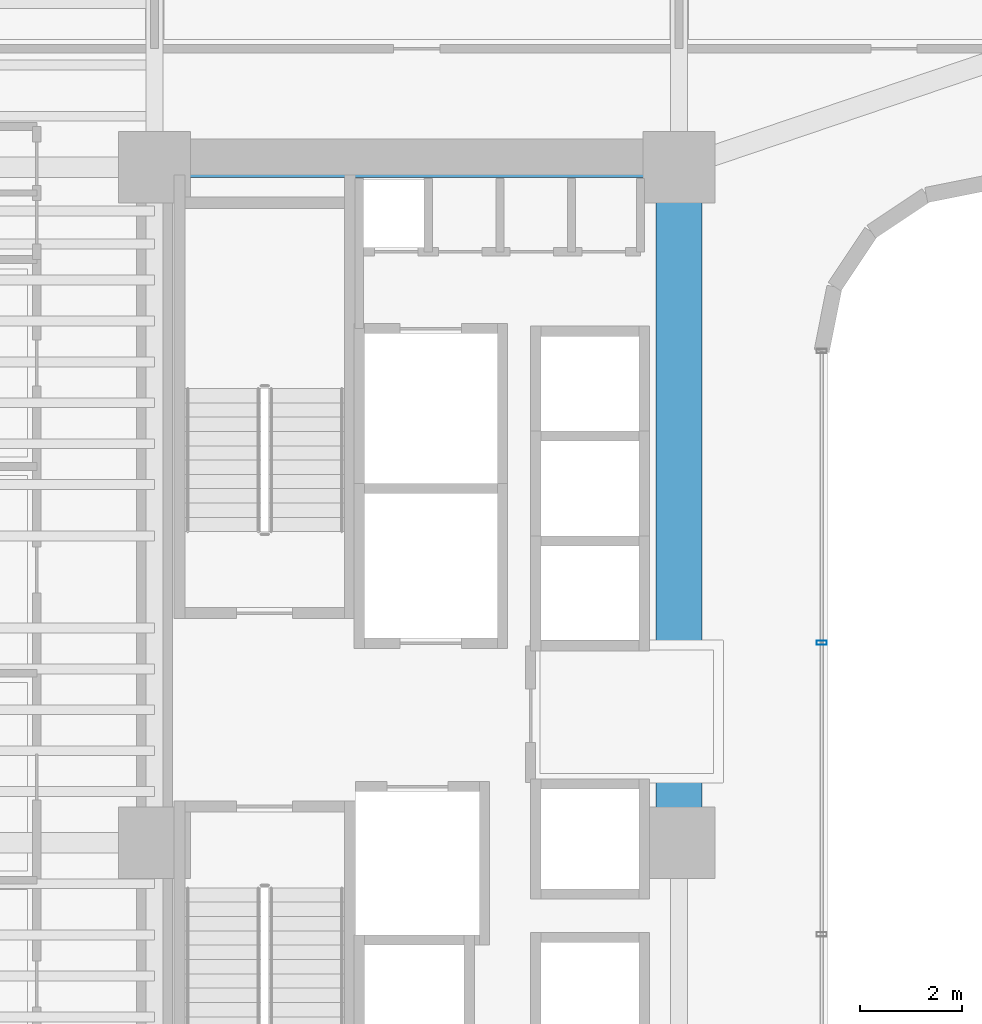
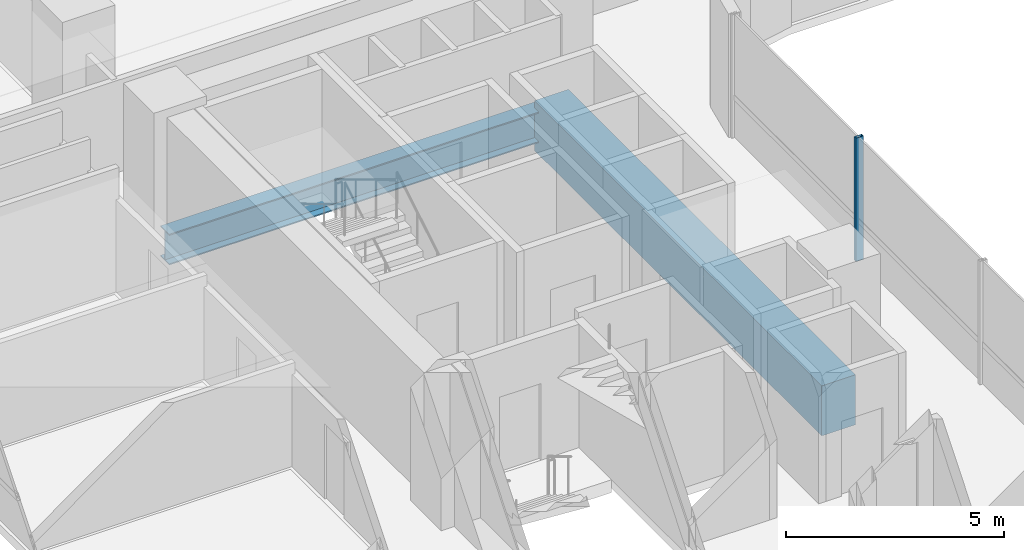
# One storey, part 11 of 39: 2 beams, 1 member, 1 element without a shape of its own.
"""IFC4 building model written with IfcOpenShell, lengths in metres."""

from ifc_helpers import new_model, si_unit, direction, frame, origin, origin_2d, place, context, subcontext, project, spatial, rectangle, hollow_rectangle, i_section, extrude, source, transform, mapped, material, material_profile, profile_set, type_object, element, aggregate, save


model = new_model("IFC4")

# Units and contexts
model_context = context("Model", 3, precision=1e-05, world=origin(), true_north=direction((0.0, 1.0)))
body_context = subcontext(model_context, "Body", "Model", "MODEL_VIEW")
ifc_project = project(units=[si_unit("LENGTHUNIT", "METRE"), si_unit("AREAUNIT", "SQUARE_METRE"), si_unit("VOLUMEUNIT", "CUBIC_METRE"), si_unit("PLANEANGLEUNIT", "RADIAN"), si_unit("MASSUNIT", "GRAM", prefix="KILO")], contexts=[model_context])

# Site, building, storey
site_placement = place(None, origin())
site = spatial("IfcSite", under=ifc_project, at=site_placement, CompositionType="ELEMENT")
building_placement = place(site_placement, origin())
building = spatial("IfcBuilding", under=site, at=building_placement, Name="Valdorenza Pilgrim Sanctuary Tower", CompositionType="ELEMENT")
storey_placement = place(building_placement, frame((0.0, 0.0, 33.39990234375)))
storey = spatial("IfcBuildingStorey", under=building, at=storey_placement, Name="L07", CompositionType="ELEMENT", Elevation=33.39990234375)

# Beams
ifc_material_1 = material(Name="Concrete C60/75", Category="concrete")
ifc_material_profile_1 = material_profile(ifc_material_1, rectangle(XDim=0.89990234375, YDim=1.39990234375, at=origin_2d()), Name="RC 1400x900")
ifc_profile_set_1 = profile_set([ifc_material_profile_1], Name="Concrete C60/75")
beam_type_1 = type_object("IfcBeamType", Name="STR-BM-LNT-1400", PredefinedType="LINTEL", material=ifc_profile_set_1)
shared_shape_1 = source(origin(), body_context, "Body", "SweptSolid", [
    extrude(rectangle(XDim=0.89990234375, YDim=1.39990234375, at=origin_2d()), origin(), (0.0, 0.0, 1.0), 13.2001953125),
])
beam_1_placement = place(storey_placement, frame((-12.39990234375, -2.60009765625, -0.739990234375), z_axis=(0.0, 1.0, 0.0), x_axis=(-1.0, 0.0, 0.0)))
element("IfcBeam", 1, at=beam_1_placement, inside=storey, type_object=beam_type_1, Name="L07 Core A Coupling Lintel Girder", PredefinedType="LINTEL", context=body_context, shape_type="MappedRepresentation", body=[
    mapped(shared_shape_1, transform((0.0, 0.0, 0.0), x_axis=(1.0, 0.0, 0.0), y_axis=(0.0, 1.0, 0.0), z_axis=(0.0, 0.0, 1.0), scale=1.0)),
])
ifc_material_2 = material(Name="Steel ASTM A992 Grade 50", Category="steel")
ifc_material_profile_2 = material_profile(ifc_material_2, i_section(OverallWidth=0.39990234375, OverallDepth=0.862060546875, WebThickness=0.019775390625, FlangeThickness=0.032470703125, at=origin_2d()), Name="W33X221")
ifc_profile_set_2 = profile_set([ifc_material_profile_2], Name="Steel ASTM A992 Grade 50")
beam_type_2 = type_object("IfcBeamType", Name="STR-BM-GRD-W33", PredefinedType="BEAM", material=ifc_profile_set_2)
shared_shape_2 = source(origin(), body_context, "Body", "SweptSolid", [
    extrude(i_section(OverallWidth=0.39990234375, OverallDepth=0.862060546875, WebThickness=0.019775390625, FlangeThickness=0.032470703125, at=origin_2d()), origin(), (0.0, 0.0, 1.0), 10.25),
])
beam_2_placement = place(storey_placement, frame((-22.64990234375, 10.60009765625, -0.6708984375), z_axis=(1.0, 0.0, 0.0), x_axis=(0.0, 1.0, 0.0)))
element("IfcBeam", 2, at=beam_2_placement, inside=storey, type_object=beam_type_2, Name="L07 Floor Girder CA-XC-N1", PredefinedType="BEAM", context=body_context, shape_type="MappedRepresentation", body=[
    mapped(shared_shape_2, transform((0.0, 0.0, 0.0), x_axis=(1.0, 0.0, 0.0), y_axis=(0.0, 1.0, 0.0), z_axis=(0.0, 0.0, 1.0), scale=1.0)),
])

# Curtain wall, member
ifc_material_3 = material(Name="Curtain-wall IGU glazing", Category="glass")
curtain_wall_type = type_object("IfcCurtainWallType", Name="CW-SYS-02", PredefinedType="NOTDEFINED", material=ifc_material_3)
curtain_wall_placement = place(storey_placement, origin())
curtain_wall = element("IfcCurtainWall", 3, at=curtain_wall_placement, inside=storey, type_object=curtain_wall_type, Name="L07 Curtain Wall CW-L07-1-41", PredefinedType="NOTDEFINED")
ifc_material_4 = material(Name="Anodised aluminium AW-6060", Category="aluminium")
ifc_material_profile_3 = material_profile(ifc_material_4, hollow_rectangle(XDim=0.0849609375, YDim=0.199951171875, WallThickness=0.0048828125, at=origin_2d()), Name="ALU-M 200x85x5")
ifc_profile_set_3 = profile_set([ifc_material_profile_3], Name="Anodised aluminium AW-6060")
member_type = type_object("IfcMemberType", Name="CW-MUL-02", PredefinedType="MULLION", material=ifc_profile_set_3)
shared_shape_3 = source(origin(), body_context, "Body", "SweptSolid", [
    extrude(hollow_rectangle(XDim=0.0849609375, YDim=0.199951171875, WallThickness=0.0048828125, at=origin_2d()), origin(), (0.0, 0.0, 1.0), 3.460205078125),
])
member_placement = place(storey_placement, frame((-9.610107421875, 1.310791015625, 0.0), z_axis=(0.0, 0.0, 1.0), x_axis=(0.0, -1.0, 0.0)))
member = element("IfcMember", 4, at=member_placement, type_object=member_type, Name="CW-L07-1-41 Mullion 2", PredefinedType="MULLION", context=body_context, shape_type="MappedRepresentation", body=[
    mapped(shared_shape_3, transform((0.0, 0.0, 0.0), x_axis=(1.0, 0.0, 0.0), y_axis=(0.0, 1.0, 0.0), z_axis=(0.0, 0.0, 1.0), scale=1.0)),
])
aggregate(curtain_wall, [member])

save(model, "model.ifc")
